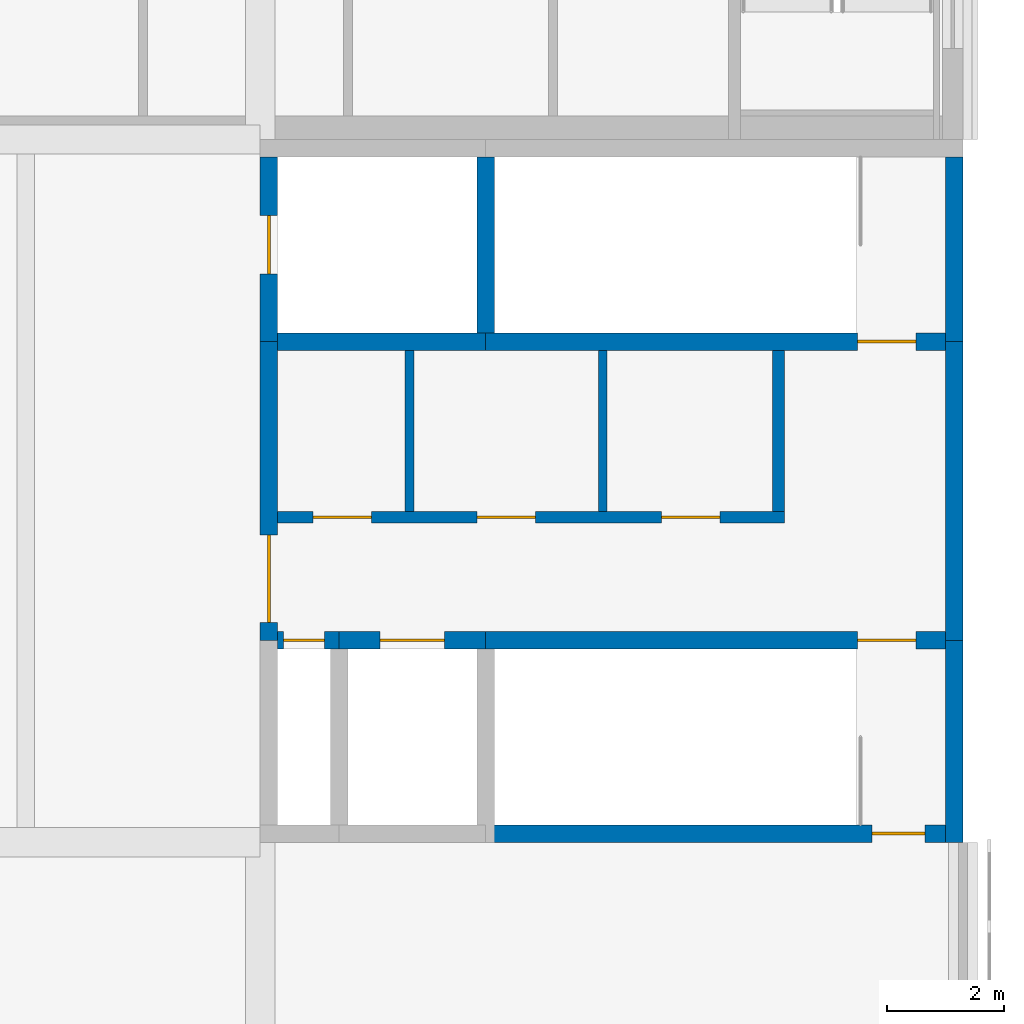
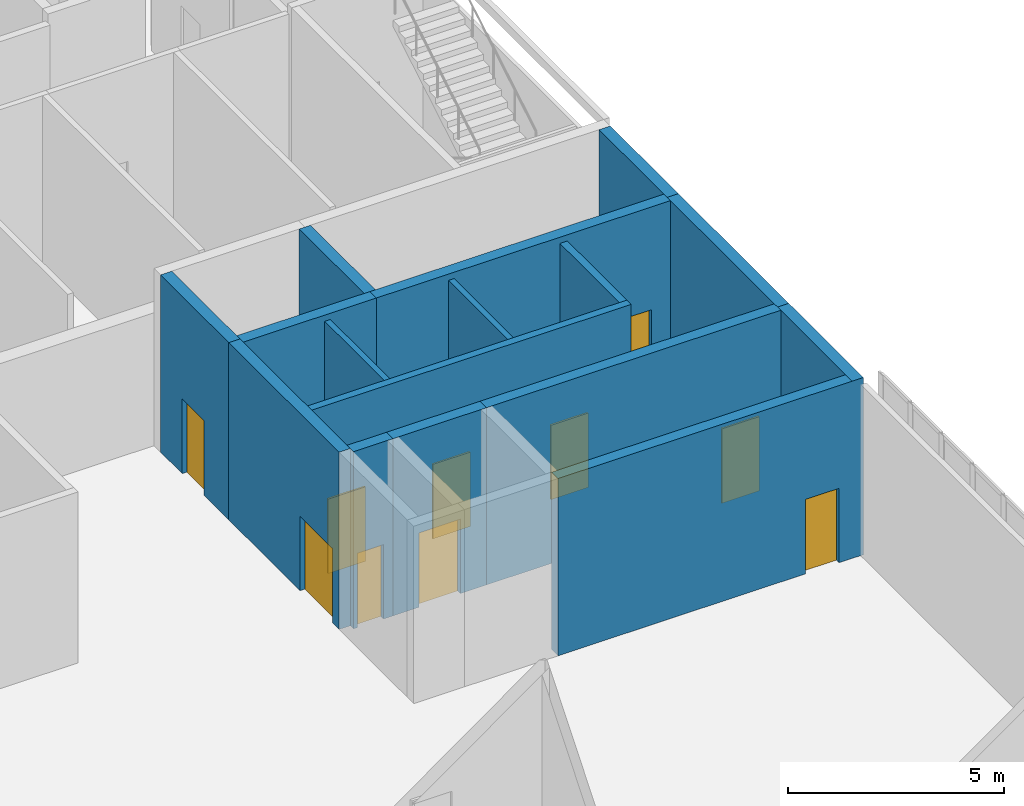
# One storey, part 61 of 69: 16 walls, 10 doors, 10 openings.
"""IFC4 building model written with IfcOpenShell, lengths in metres."""

from ifc_helpers import new_model, si_unit, direction, frame, frame_2d, origin, place, context, subcontext, project, spatial, rectangle, extrude, material, layer, layer_set, type_object, element, fill, save


model = new_model("IFC4")

# Units and contexts
model_context = context("Model", 3, precision=1e-05, world=origin(), true_north=direction((0.0, 1.0)))
body_context = subcontext(model_context, "Body", "Model", "MODEL_VIEW")
ifc_project = project(units=[si_unit("LENGTHUNIT", "METRE"), si_unit("AREAUNIT", "SQUARE_METRE"), si_unit("VOLUMEUNIT", "CUBIC_METRE"), si_unit("PLANEANGLEUNIT", "RADIAN"), si_unit("MASSUNIT", "GRAM", prefix="KILO")], contexts=[model_context])

# Site, building, storey
site_placement = place(None, origin())
site = spatial("IfcSite", under=ifc_project, at=site_placement, CompositionType="ELEMENT")
building_placement = place(site_placement, origin())
building = spatial("IfcBuilding", under=site, at=building_placement, Name="Lilac Gate Convention Centre", CompositionType="ELEMENT")
storey_placement = place(building_placement, frame((0.0, 0.0, 12.0)))
storey = spatial("IfcBuildingStorey", under=building, at=storey_placement, Name="L02", CompositionType="ELEMENT", Elevation=12.0)

# Walls
ifc_material_1 = material(Name="Fire-rated gypsum board on steel stud", Category="steel")
ifc_layer_1 = layer(ifc_material_1, 0.14990234375)
ifc_layer_set_1 = layer_set([ifc_layer_1], Name="Fire-rated gypsum board on steel stud")
wall_type_1 = type_object("IfcWallType", Name="Partition 150 fire-rated gypsum board EI 60", PredefinedType="PARTITIONING", material=ifc_layer_set_1)
for number, where, z_axis, x_axis, name in (
    (1, (80.550048828125, 215.64990234375, 0.0), (0.0, 0.0, 1.0), (0.0, 1.0, 0.0), "Partition 150 fire-rated gypsum board EI 60"),
    (2, (83.85009765625, 215.64990234375, 0.0), (0.0, 0.0, 1.0), (0.0, 1.0, 0.0), "Partition 150 fire-rated gypsum board EI 60"),
):
    element("IfcWall", number, at=place(storey_placement, frame(where, z_axis=z_axis, x_axis=x_axis)), inside=storey, type_object=wall_type_1, Name=name, PredefinedType="PARTITIONING", context=body_context, shape_type="SweptSolid", body=[
        extrude(rectangle(XDim=2.75, YDim=0.14990234375, at=frame_2d((1.375, 0.0))), origin(), (0.0, 0.0, 1.0), 4.824951171875),
    ])

# Wall, openings, doors
ifc_material_2 = material(Name="Clay brick masonry", Category="masonry")
ifc_layer_2 = layer(ifc_material_2, 0.199951171875)
ifc_layer_set_2 = layer_set([ifc_layer_2], Name="Clay brick masonry")
wall_type_2 = type_object("IfcWallType", Name="Partition 200 brick EI 60", PredefinedType="PARTITIONING", material=ifc_layer_set_2)
wall_1_placement = place(storey_placement, frame((78.300048828125, 215.550048828125, 0.0), z_axis=(0.0, 0.0, 1.0), x_axis=(1.0, 0.0, 0.0)))
wall_1 = element("IfcWall", 3, at=wall_1_placement, inside=storey, type_object=wall_type_2, Name="Partition 200 brick EI 60", PredefinedType="PARTITIONING", context=body_context, shape_type="SweptSolid", body=[
    extrude(rectangle(XDim=8.64990234375, YDim=0.199951171875, at=frame_2d((4.324951171875, 0.0))), origin(), (0.0, 0.0, 1.0), 4.824951171875),
])
opening_1_placement = place(wall_1_placement, frame((0.60009765625, 0.0, 0.0)))
opening_1 = element("IfcOpeningElement", 4, at=opening_1_placement, cuts=wall_1, Name="Opening L02-099", PredefinedType="OPENING", context=body_context, shape_type="SweptSolid", body=[
    extrude(rectangle(XDim=1.0, YDim=2.10009765625, at=frame_2d((0.5, 1.050048828125))), frame((0.0, 0.10986328125, 0.0), z_axis=(0.0, -1.0, 0.0), x_axis=(1.0, 0.0, 0.0)), (0.0, 0.0, 1.0), 0.219970703125),
])
opening_2_placement = place(wall_1_placement, frame((3.39990234375, 0.0, 0.0)))
opening_2 = element("IfcOpeningElement", 5, at=opening_2_placement, cuts=wall_1, Name="Opening L02-100", PredefinedType="OPENING", context=body_context, shape_type="SweptSolid", body=[
    extrude(rectangle(XDim=1.0, YDim=2.10009765625, at=frame_2d((0.5, 1.050048828125))), frame((0.0, 0.10986328125, 0.0), z_axis=(0.0, -1.0, 0.0), x_axis=(1.0, 0.0, 0.0)), (0.0, 0.0, 1.0), 0.219970703125),
])
opening_3_placement = place(wall_1_placement, frame((6.550048828125, 0.0, 0.0)))
opening_3 = element("IfcOpeningElement", 6, at=opening_3_placement, cuts=wall_1, Name="Opening L02-101", PredefinedType="OPENING", context=body_context, shape_type="SweptSolid", body=[
    extrude(rectangle(XDim=1.0, YDim=2.10009765625, at=frame_2d((0.5, 1.050048828125))), frame((0.0, 0.10986328125, 0.0), z_axis=(0.0, -1.0, 0.0), x_axis=(1.0, 0.0, 0.0)), (0.0, 0.0, 1.0), 0.219970703125),
])
ifc_material_3 = material(Name="Timber fire door leaf", Category="wood")
door_type_1 = type_object("IfcDoorType", Name="Door 1000 x 2100 single leaf FD30", OperationType="SINGLE_SWING_LEFT", PredefinedType="DOOR", material=ifc_material_3)
door_1_placement = place(opening_1_placement, origin())
door_1 = element("IfcDoor", 7, at=door_1_placement, inside=storey, type_object=door_type_1, Name="Accessible WC door L02-099", OperationType="SINGLE_SWING_RIGHT", OverallHeight=2.10009765625, OverallWidth=1.0, PredefinedType="DOOR", context=body_context, shape_type="SweptSolid", body=[
    extrude(rectangle(XDim=1.0, YDim=2.10009765625, at=frame_2d((0.5, 1.050048828125))), frame((0.0, 0.02490234375, 0.0), z_axis=(0.0, -1.0, 0.0), x_axis=(1.0, 0.0, 0.0)), (0.0, 0.0, 1.0), 0.050048828125),
])
fill(opening_1, door_1)
door_2_placement = place(opening_2_placement, origin())
door_2 = element("IfcDoor", 8, at=door_2_placement, inside=storey, type_object=door_type_1, Name="WC door L02-100", OperationType="SINGLE_SWING_LEFT", OverallHeight=2.10009765625, OverallWidth=1.0, PredefinedType="DOOR", context=body_context, shape_type="SweptSolid", body=[
    extrude(rectangle(XDim=1.0, YDim=2.10009765625, at=frame_2d((0.5, 1.050048828125))), frame((0.0, 0.02490234375, 0.0), z_axis=(0.0, -1.0, 0.0), x_axis=(1.0, 0.0, 0.0)), (0.0, 0.0, 1.0), 0.050048828125),
])
fill(opening_2, door_2)
door_3_placement = place(opening_3_placement, origin())
door_3 = element("IfcDoor", 9, at=door_3_placement, inside=storey, type_object=door_type_1, Name="WC door L02-101", OperationType="SINGLE_SWING_RIGHT", OverallHeight=2.10009765625, OverallWidth=1.0, PredefinedType="DOOR", context=body_context, shape_type="SweptSolid", body=[
    extrude(rectangle(XDim=1.0, YDim=2.10009765625, at=frame_2d((0.5, 1.050048828125))), frame((0.0, 0.02490234375, 0.0), z_axis=(0.0, -1.0, 0.0), x_axis=(1.0, 0.0, 0.0)), (0.0, 0.0, 1.0), 0.050048828125),
])
fill(opening_3, door_3)

# Wall
wall_2_placement = place(storey_placement, frame((86.85009765625, 215.64990234375, 0.0), z_axis=(0.0, 0.0, 1.0), x_axis=(0.0, 1.0, 0.0)))
element("IfcWall", 10, at=wall_2_placement, inside=storey, type_object=wall_type_2, Name="Partition 200 brick EI 60", PredefinedType="PARTITIONING", context=body_context, shape_type="SweptSolid", body=[
    extrude(rectangle(XDim=2.75, YDim=0.199951171875, at=frame_2d((1.375, 0.0))), origin(), (0.0, 0.0, 1.0), 4.824951171875),
])

# Wall, opening, door
ifc_material_4 = material(Name="Concrete C40", Category="concrete")
ifc_layer_3 = layer(ifc_material_4, 0.300048828125)
ifc_layer_set_3 = layer_set([ifc_layer_3], Name="Concrete C40")
wall_type_3 = type_object("IfcWallType", Name="Shear wall 300 C40", PredefinedType="SHEAR", material=ifc_layer_set_3)
wall_3_placement = place(storey_placement, frame((90.0, 210.14990234375, 0.0), z_axis=(0.0, 0.0, 1.0), x_axis=(-1.0, 0.0, 0.0)))
wall_3 = element("IfcWall", 11, at=wall_3_placement, inside=storey, type_object=wall_type_3, Name="SW1 shear wall E4 L02 1", PredefinedType="SHEAR", context=body_context, shape_type="SweptSolid", body=[
    extrude(rectangle(XDim=8.14990234375, YDim=0.300048828125, at=frame_2d((4.074951171875, 0.0))), origin(), (0.0, 0.0, 1.0), 5.0),
])
opening_4_placement = place(wall_3_placement, frame((0.64990234375, 0.0, 0.0)))
opening_4 = element("IfcOpeningElement", 12, at=opening_4_placement, cuts=wall_3, Name="Opening L02-085", PredefinedType="OPENING", context=body_context, shape_type="SweptSolid", body=[
    extrude(rectangle(XDim=0.89990234375, YDim=2.10009765625, at=frame_2d((0.449951171875, 1.050048828125))), frame((0.0, 0.159912109375, 0.0), z_axis=(0.0, -1.0, 0.0), x_axis=(1.0, 0.0, 0.0)), (0.0, 0.0, 1.0), 0.320068359375),
])
door_type_2 = type_object("IfcDoorType", Name="Door 900 x 2100 single leaf FD60", OperationType="SINGLE_SWING_LEFT", PredefinedType="DOOR", material=ifc_material_3)
door_4_placement = place(opening_4_placement, frame((0.89990234375, 0.0, 0.0), z_axis=(0.0, 0.0, 1.0), x_axis=(-1.0, 0.0, 0.0)))
door_4 = element("IfcDoor", 13, at=door_4_placement, inside=storey, type_object=door_type_2, Name="Stair door L02-085", OperationType="SINGLE_SWING_LEFT", OverallHeight=2.10009765625, OverallWidth=0.89990234375, PredefinedType="DOOR", context=body_context, shape_type="SweptSolid", body=[
    extrude(rectangle(XDim=0.89990234375, YDim=2.10009765625, at=frame_2d((0.449951171875, 1.050048828125))), frame((0.0, 0.02490234375, 0.0), z_axis=(0.0, -1.0, 0.0), x_axis=(1.0, 0.0, 0.0)), (0.0, 0.0, 1.0), 0.050048828125),
])
fill(opening_4, door_4)

wall_4_placement = place(storey_placement, frame((89.699951171875, 213.449951171875, 0.0), z_axis=(0.0, 0.0, 1.0), x_axis=(-1.0, 0.0, 0.0)))
wall_4 = element("IfcWall", 14, at=wall_4_placement, inside=storey, type_object=wall_type_3, Name="SW1 shear wall E4 L02 6", PredefinedType="SHEAR", context=body_context, shape_type="SweptSolid", body=[
    extrude(rectangle(XDim=7.849853515625, YDim=0.300048828125, at=frame_2d((3.9248046875, 0.0))), origin(), (0.0, 0.0, 1.0), 5.0),
])
opening_5_placement = place(wall_4_placement, frame((0.5, 0.0, 0.0)))
opening_5 = element("IfcOpeningElement", 15, at=opening_5_placement, cuts=wall_4, Name="Opening L02-090", PredefinedType="OPENING", context=body_context, shape_type="SweptSolid", body=[
    extrude(rectangle(XDim=1.0, YDim=2.10009765625, at=frame_2d((0.5, 1.050048828125))), frame((0.0, 0.159912109375, 0.0), z_axis=(0.0, -1.0, 0.0), x_axis=(1.0, 0.0, 0.0)), (0.0, 0.0, 1.0), 0.320068359375),
])
door_type_3 = type_object("IfcDoorType", Name="Door 1000 x 2100 single leaf FD60", OperationType="SINGLE_SWING_LEFT", PredefinedType="DOOR", material=ifc_material_3)
door_5_placement = place(opening_5_placement, origin())
door_5 = element("IfcDoor", 16, at=door_5_placement, inside=storey, type_object=door_type_3, Name="Stair door L02-090", OperationType="SINGLE_SWING_RIGHT", OverallHeight=2.10009765625, OverallWidth=1.0, PredefinedType="DOOR", context=body_context, shape_type="SweptSolid", body=[
    extrude(rectangle(XDim=1.0, YDim=2.10009765625, at=frame_2d((0.5, 1.050048828125))), frame((0.0, 0.02490234375, 0.0), z_axis=(0.0, -1.0, 0.0), x_axis=(1.0, 0.0, 0.0)), (0.0, 0.0, 1.0), 0.050048828125),
])
fill(opening_5, door_5)

wall_5_placement = place(storey_placement, frame((81.85009765625, 213.449951171875, 0.0), z_axis=(0.0, 0.0, 1.0), x_axis=(-1.0, 0.0, 0.0)))
wall_5 = element("IfcWall", 17, at=wall_5_placement, inside=storey, type_object=wall_type_3, Name="SW1 shear wall E4 L02 7", PredefinedType="SHEAR", context=body_context, shape_type="SweptSolid", body=[
    extrude(rectangle(XDim=2.5, YDim=0.300048828125, at=frame_2d((1.25, 0.0))), origin(), (0.0, 0.0, 1.0), 5.0),
])
opening_6_placement = place(wall_5_placement, frame((0.699951171875, 0.0, 0.0)))
opening_6 = element("IfcOpeningElement", 18, at=opening_6_placement, cuts=wall_5, Name="Opening LDE4-02", PredefinedType="OPENING", context=body_context, shape_type="SweptSolid", body=[
    extrude(rectangle(XDim=1.10009765625, YDim=2.10009765625, at=frame_2d((0.550048828125, 1.050048828125))), frame((0.0, 0.159912109375, 0.0), z_axis=(0.0, -1.0, 0.0), x_axis=(1.0, 0.0, 0.0)), (0.0, 0.0, 1.0), 0.320068359375),
])
ifc_material_5 = material(Name="Stainless steel 304", Category="steel")
door_type_4 = type_object("IfcDoorType", Name="Lift landing door 1100 x 2100", OperationType="SLIDING_TO_LEFT", PredefinedType="DOOR", material=ifc_material_5)
door_6_placement = place(opening_6_placement, origin())
door_6 = element("IfcDoor", 19, at=door_6_placement, inside=storey, type_object=door_type_4, Name="Lift landing door LDE4-02", OperationType="SLIDING_TO_LEFT", OverallHeight=2.10009765625, OverallWidth=1.10009765625, PredefinedType="DOOR", context=body_context, shape_type="SweptSolid", body=[
    extrude(rectangle(XDim=1.10009765625, YDim=2.10009765625, at=frame_2d((0.550048828125, 1.050048828125))), frame((0.0, 0.02490234375, 0.0), z_axis=(0.0, -1.0, 0.0), x_axis=(1.0, 0.0, 0.0)), (0.0, 0.0, 1.0), 0.050048828125),
])
fill(opening_6, door_6)

wall_6_placement = place(storey_placement, frame((79.35009765625, 213.449951171875, 0.0), z_axis=(0.0, 0.0, 1.0), x_axis=(-1.0, 0.0, 0.0)))
wall_6 = element("IfcWall", 20, at=wall_6_placement, inside=storey, type_object=wall_type_3, Name="SW1 shear wall E4 L02 8", PredefinedType="SHEAR", context=body_context, shape_type="SweptSolid", body=[
    extrude(rectangle(XDim=1.050048828125, YDim=0.300048828125, at=frame_2d((0.52490234375, 0.0))), origin(), (0.0, 0.0, 1.0), 5.0),
])
opening_7_placement = place(wall_6_placement, frame((0.25, 0.0, 0.0)))
opening_7 = element("IfcOpeningElement", 21, at=opening_7_placement, cuts=wall_6, Name="Opening L02-089", PredefinedType="OPENING", context=body_context, shape_type="SweptSolid", body=[
    extrude(rectangle(XDim=0.699951171875, YDim=2.10009765625, at=frame_2d((0.35009765625, 1.050048828125))), frame((0.0, 0.159912109375, 0.0), z_axis=(0.0, -1.0, 0.0), x_axis=(1.0, 0.0, 0.0)), (0.0, 0.0, 1.0), 0.320068359375),
])
door_type_5 = type_object("IfcDoorType", Name="Door 700 x 2100 single leaf FD30", OperationType="SINGLE_SWING_LEFT", PredefinedType="DOOR", material=ifc_material_3)
door_7_placement = place(opening_7_placement, origin())
door_7 = element("IfcDoor", 22, at=door_7_placement, inside=storey, type_object=door_type_5, Name="Riser access door L02-089", OperationType="SINGLE_SWING_LEFT", OverallHeight=2.10009765625, OverallWidth=0.699951171875, PredefinedType="DOOR", context=body_context, shape_type="SweptSolid", body=[
    extrude(rectangle(XDim=0.699951171875, YDim=2.10009765625, at=frame_2d((0.35009765625, 1.050048828125))), frame((0.0, 0.02490234375, 0.0), z_axis=(0.0, -1.0, 0.0), x_axis=(1.0, 0.0, 0.0)), (0.0, 0.0, 1.0), 0.050048828125),
])
fill(opening_7, door_7)

wall_7_placement = place(storey_placement, frame((89.699951171875, 218.550048828125, 0.0), z_axis=(0.0, 0.0, 1.0), x_axis=(-1.0, 0.0, 0.0)))
wall_7 = element("IfcWall", 23, at=wall_7_placement, inside=storey, type_object=wall_type_3, Name="SW1 shear wall E4 L02 9", PredefinedType="SHEAR", context=body_context, shape_type="SweptSolid", body=[
    extrude(rectangle(XDim=7.849853515625, YDim=0.300048828125, at=frame_2d((3.9248046875, 0.0))), origin(), (0.0, 0.0, 1.0), 5.0),
])
opening_8_placement = place(wall_7_placement, frame((0.5, 0.0, 0.0)))
opening_8 = element("IfcOpeningElement", 24, at=opening_8_placement, cuts=wall_7, Name="Opening L02-103", PredefinedType="OPENING", context=body_context, shape_type="SweptSolid", body=[
    extrude(rectangle(XDim=1.0, YDim=2.10009765625, at=frame_2d((0.5, 1.050048828125))), frame((0.0, 0.159912109375, 0.0), z_axis=(0.0, -1.0, 0.0), x_axis=(1.0, 0.0, 0.0)), (0.0, 0.0, 1.0), 0.320068359375),
])
door_8_placement = place(opening_8_placement, frame((1.0, 0.0, 0.0), z_axis=(0.0, 0.0, 1.0), x_axis=(-1.0, 0.0, 0.0)))
door_8 = element("IfcDoor", 25, at=door_8_placement, inside=storey, type_object=door_type_3, Name="Stair door L02-103", OperationType="SINGLE_SWING_LEFT", OverallHeight=2.10009765625, OverallWidth=1.0, PredefinedType="DOOR", context=body_context, shape_type="SweptSolid", body=[
    extrude(rectangle(XDim=1.0, YDim=2.10009765625, at=frame_2d((0.5, 1.050048828125))), frame((0.0, 0.02490234375, 0.0), z_axis=(0.0, -1.0, 0.0), x_axis=(1.0, 0.0, 0.0)), (0.0, 0.0, 1.0), 0.050048828125),
])
fill(opening_8, door_8)

# Walls
wall_8_placement = place(storey_placement, frame((81.85009765625, 218.550048828125, 0.0), z_axis=(0.0, 0.0, 1.0), x_axis=(-1.0, 0.0, 0.0)))
element("IfcWall", 26, at=wall_8_placement, inside=storey, type_object=wall_type_3, Name="SW1 shear wall E4 L02 10", PredefinedType="SHEAR", context=body_context, shape_type="SweptSolid", body=[
    extrude(rectangle(XDim=3.550048828125, YDim=0.300048828125, at=frame_2d((1.77490234375, 0.0))), origin(), (0.0, 0.0, 1.0), 5.0),
])
wall_9_placement = place(storey_placement, frame((89.85009765625, 210.0, 0.0), z_axis=(0.0, 0.0, 1.0), x_axis=(0.0, 1.0, 0.0)))
element("IfcWall", 27, at=wall_9_placement, inside=storey, type_object=wall_type_3, Name="SW1 shear wall E4 L02 11", PredefinedType="SHEAR", context=body_context, shape_type="SweptSolid", body=[
    extrude(rectangle(XDim=3.449951171875, YDim=0.300048828125, at=frame_2d((1.72509765625, 0.0))), origin(), (0.0, 0.0, 1.0), 5.0),
])
wall_10_placement = place(storey_placement, frame((89.85009765625, 213.449951171875, 0.0), z_axis=(0.0, 0.0, 1.0), x_axis=(0.0, 1.0, 0.0)))
element("IfcWall", 28, at=wall_10_placement, inside=storey, type_object=wall_type_3, Name="SW1 shear wall E4 L02 12", PredefinedType="SHEAR", context=body_context, shape_type="SweptSolid", body=[
    extrude(rectangle(XDim=5.10009765625, YDim=0.300048828125, at=frame_2d((2.550048828125, 0.0))), origin(), (0.0, 0.0, 1.0), 5.0),
])
wall_11_placement = place(storey_placement, frame((89.85009765625, 218.550048828125, 0.0), z_axis=(0.0, 0.0, 1.0), x_axis=(0.0, 1.0, 0.0)))
element("IfcWall", 29, at=wall_11_placement, inside=storey, type_object=wall_type_3, Name="SW1 shear wall E4 L02 13", PredefinedType="SHEAR", context=body_context, shape_type="SweptSolid", body=[
    extrude(rectangle(XDim=3.14990234375, YDim=0.300048828125, at=frame_2d((1.574951171875, 0.0))), origin(), (0.0, 0.0, 1.0), 5.0),
])

# Wall, opening, door
wall_12_placement = place(storey_placement, frame((78.14990234375, 213.449951171875, 0.0), z_axis=(0.0, 0.0, 1.0), x_axis=(0.0, 1.0, 0.0)))
wall_12 = element("IfcWall", 30, at=wall_12_placement, inside=storey, type_object=wall_type_3, Name="SW1 shear wall E4 L02 15", PredefinedType="SHEAR", context=body_context, shape_type="SweptSolid", body=[
    extrude(rectangle(XDim=5.10009765625, YDim=0.300048828125, at=frame_2d((2.550048828125, 0.0))), origin(), (0.0, 0.0, 1.0), 5.0),
])
opening_9_placement = place(wall_12_placement, frame((0.300048828125, 0.0, 0.0)))
opening_9 = element("IfcOpeningElement", 31, at=opening_9_placement, cuts=wall_12, Name="Opening L02-092", PredefinedType="OPENING", context=body_context, shape_type="SweptSolid", body=[
    extrude(rectangle(XDim=1.5, YDim=2.10009765625, at=frame_2d((0.75, 1.050048828125))), frame((0.0, 0.159912109375, 0.0), z_axis=(0.0, -1.0, 0.0), x_axis=(1.0, 0.0, 0.0)), (0.0, 0.0, 1.0), 0.320068359375),
])
door_type_6 = type_object("IfcDoorType", Name="Door 1500 x 2100 double leaf FD30", OperationType="DOUBLE_DOOR_SINGLE_SWING", PredefinedType="DOOR", material=ifc_material_3)
door_9_placement = place(opening_9_placement, frame((1.5, 0.0, 0.0), z_axis=(0.0, 0.0, 1.0), x_axis=(-1.0, 0.0, 0.0)))
door_9 = element("IfcDoor", 32, at=door_9_placement, inside=storey, type_object=door_type_6, Name="Lobby door L02-092", OperationType="DOUBLE_DOOR_SINGLE_SWING", OverallHeight=2.10009765625, OverallWidth=1.5, PredefinedType="DOOR", context=body_context, shape_type="SweptSolid", body=[
    extrude(rectangle(XDim=1.5, YDim=2.10009765625, at=frame_2d((0.75, 1.050048828125))), frame((0.0, 0.02490234375, 0.0), z_axis=(0.0, -1.0, 0.0), x_axis=(1.0, 0.0, 0.0)), (0.0, 0.0, 1.0), 0.050048828125),
])
fill(opening_9, door_9)

wall_13_placement = place(storey_placement, frame((78.14990234375, 218.550048828125, 0.0), z_axis=(0.0, 0.0, 1.0), x_axis=(0.0, 1.0, 0.0)))
wall_13 = element("IfcWall", 33, at=wall_13_placement, inside=storey, type_object=wall_type_3, Name="SW1 shear wall E4 L02 16", PredefinedType="SHEAR", context=body_context, shape_type="SweptSolid", body=[
    extrude(rectangle(XDim=3.14990234375, YDim=0.300048828125, at=frame_2d((1.574951171875, 0.0))), origin(), (0.0, 0.0, 1.0), 5.0),
])
opening_10_placement = place(wall_13_placement, frame((1.14990234375, 0.0, 0.0)))
opening_10 = element("IfcOpeningElement", 34, at=opening_10_placement, cuts=wall_13, Name="Opening L02-105", PredefinedType="OPENING", context=body_context, shape_type="SweptSolid", body=[
    extrude(rectangle(XDim=1.0, YDim=2.10009765625, at=frame_2d((0.5, 1.050048828125))), frame((0.0, 0.159912109375, 0.0), z_axis=(0.0, -1.0, 0.0), x_axis=(1.0, 0.0, 0.0)), (0.0, 0.0, 1.0), 0.320068359375),
])
door_10_placement = place(opening_10_placement, frame((1.0, 0.0, 0.0), z_axis=(0.0, 0.0, 1.0), x_axis=(-1.0, 0.0, 0.0)))
door_10 = element("IfcDoor", 35, at=door_10_placement, inside=storey, type_object=door_type_1, Name="Riser access door L02-105", OperationType="SINGLE_SWING_LEFT", OverallHeight=2.10009765625, OverallWidth=1.0, PredefinedType="DOOR", context=body_context, shape_type="SweptSolid", body=[
    extrude(rectangle(XDim=1.0, YDim=2.10009765625, at=frame_2d((0.5, 1.050048828125))), frame((0.0, 0.02490234375, 0.0), z_axis=(0.0, -1.0, 0.0), x_axis=(1.0, 0.0, 0.0)), (0.0, 0.0, 1.0), 0.050048828125),
])
fill(opening_10, door_10)

# Wall
wall_14_placement = place(storey_placement, frame((81.85009765625, 218.699951171875, 0.0), z_axis=(0.0, 0.0, 1.0), x_axis=(0.0, 1.0, 0.0)))
element("IfcWall", 36, at=wall_14_placement, inside=storey, type_object=wall_type_3, Name="SW1 shear wall E4 L02 18", PredefinedType="SHEAR", context=body_context, shape_type="SweptSolid", body=[
    extrude(rectangle(XDim=3.0, YDim=0.300048828125, at=frame_2d((1.5, 0.0))), origin(), (0.0, 0.0, 1.0), 5.0),
])

save(model, "model.ifc")
